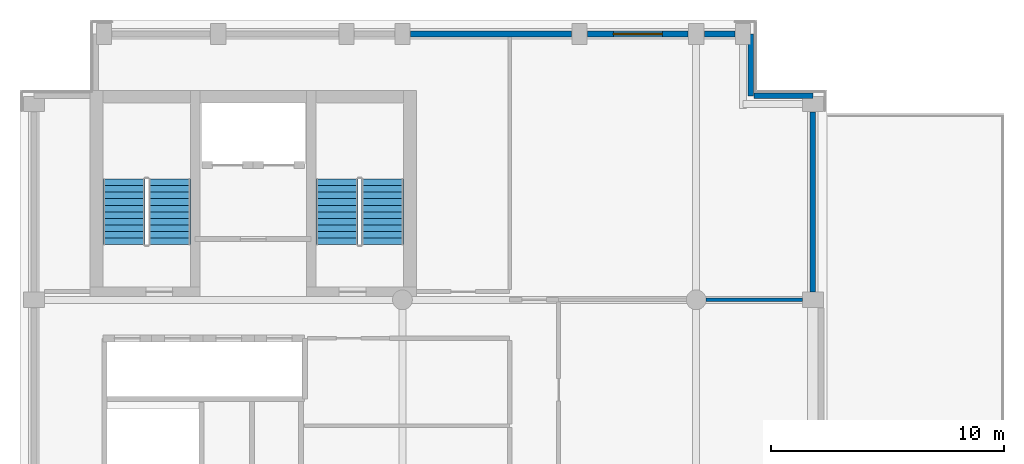
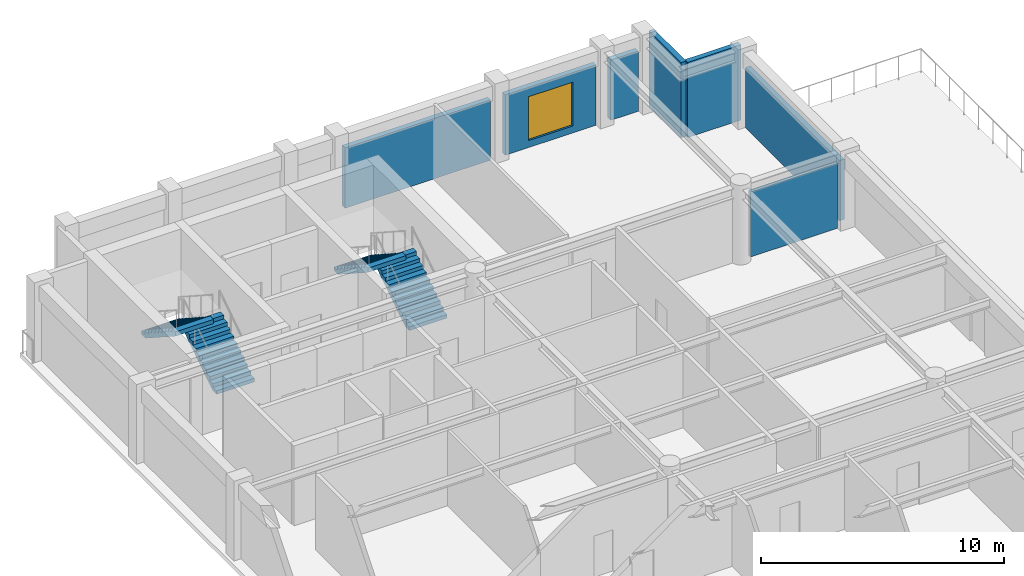
# One storey, part 6 of 9: 7 walls, 4 stair flights, 1 window, 1 opening, 2 elements without a shape of their own.
"""IFC4 building model written with IfcOpenShell, lengths in metres."""

import ifcopenshell
import ifcopenshell.guid

model = None  # the IFC model being written
_history = None  # IfcOwnerHistory: only IFC2X3 demands one
_inside = {}  # id of a spatial element -> (the spatial element, [elements in it])
_under = {}  # id of a project, library or spatial element -> (it, [spatial elements below it])
_declared = {}  # id of a project -> (the project, [libraries it declares])
_typed = {}  # id of a type object -> (the type object, [elements of that type])
_made_of = {}  # id of a material, layer set ... -> (it, [elements and type objects made of it])


def new_model(schema):
    """Start an empty IFC model of exactly this schema.

    Asked for "IFC4X3", IfcOpenShell would pick the latest addendum, in which some entities
    have other attributes; the version numbers below select the first issue.
    IFC2X3 requires an IfcOwnerHistory on every rooted entity: one is made here for all.
    """
    global model, _history
    if schema == "IFC4X3":
        model = ifcopenshell.file(schema_version=(4, 3, 0, 0))
    else:
        model = ifcopenshell.file(schema=schema)
    _inside.clear()
    _under.clear()
    _declared.clear()
    _typed.clear()
    _made_of.clear()
    _history = None
    if model.schema == "IFC2X3":
        org = make("IfcOrganization", Name="unknown")
        user = make(
            "IfcPersonAndOrganization",
            ThePerson=make("IfcPerson", FamilyName="unknown"),
            TheOrganization=org,
        )
        app = make(
            "IfcApplication",
            ApplicationDeveloper=org,
            Version="unknown",
            ApplicationFullName="unknown",
            ApplicationIdentifier="unknown",
        )
        _history = make(
            "IfcOwnerHistory",
            OwningUser=user,
            OwningApplication=app,
            ChangeAction="ADDED",
            CreationDate=0,
        )
    return model


def make(cls, **values):
    """One entity of the class cls with the attributes given. An attribute that is None is left unset."""
    return model.create_entity(
        cls, **{name: value for name, value in values.items() if value is not None}
    )


def rooted(cls, **values):
    """An entity with a GlobalId (a new one), such as an element, a storey or a relation."""
    return make(cls, GlobalId=ifcopenshell.guid.new(), OwnerHistory=_history, **values)


def si_unit(unit_type, name, prefix=None):
    """IfcSIUnit, for example si_unit("LENGTHUNIT", "METRE", prefix="MILLI")."""
    return make("IfcSIUnit", UnitType=unit_type, Prefix=prefix, Name=name)


def assignment(units):
    """IfcUnitAssignment: the units of a project."""
    return None if units is None else make("IfcUnitAssignment", Units=units)


def point(xyz):
    """IfcCartesianPoint."""
    return None if xyz is None else make("IfcCartesianPoint", Coordinates=xyz)


def direction(xyz):
    """IfcDirection."""
    return None if xyz is None else make("IfcDirection", DirectionRatios=xyz)


def frame(location, z_axis=None, x_axis=None):
    """IfcAxis2Placement3D, a coordinate frame: its origin and axes. An axis left out is left unset."""
    return make(
        "IfcAxis2Placement3D",
        Location=point(location),
        Axis=direction(z_axis),
        RefDirection=direction(x_axis),
    )


def frame_2d(location, x_axis=None):
    """IfcAxis2Placement2D, a coordinate frame in the plane: its origin and x axis."""
    return make(
        "IfcAxis2Placement2D", Location=point(location), RefDirection=direction(x_axis)
    )


def origin():
    """The frame at (0, 0, 0) with its axes left unset."""
    return frame((0.0, 0.0, 0.0))


def place(relative_to, where):
    """IfcLocalPlacement: puts the frame where relative to a parent placement (None: the world)."""
    return make(
        "IfcLocalPlacement", PlacementRelTo=relative_to, RelativePlacement=where
    )


def context(
    kind, dimensions, precision=None, world=None, true_north=None, identifier=None
):
    """IfcGeometricRepresentationContext, for example the 3D "Model" context."""
    return make(
        "IfcGeometricRepresentationContext",
        ContextIdentifier=identifier,
        ContextType=kind,
        CoordinateSpaceDimension=dimensions,
        Precision=precision,
        WorldCoordinateSystem=world,
        TrueNorth=true_north,
    )


def subcontext(parent, identifier, kind, view, scale=None):
    """IfcGeometricRepresentationSubContext, for example "Body" below "Model"."""
    return make(
        "IfcGeometricRepresentationSubContext",
        ContextIdentifier=identifier,
        ContextType=kind,
        ParentContext=parent,
        TargetScale=scale,
        TargetView=view,
    )


def project(units=None, contexts=None):
    """IfcProject with its units and contexts."""
    return rooted(
        "IfcProject",
        Name="project",
        RepresentationContexts=contexts,
        UnitsInContext=assignment(units),
    )


def spatial(cls, under=None, at=None, **own):
    """A site, building, storey or space (cls), placed at a placement, below another one or the project."""
    s = rooted(cls, ObjectPlacement=at, **own)
    if under is not None:
        _under.setdefault(under.id(), (under, []))[1].append(s)
    return s


def polyline(points):
    """IfcPolyline through the points."""
    return make("IfcPolyline", Points=[point(p) for p in points])


def profile(cls, at=None, kind="AREA", **sizes):
    """A parametric profile (cls). Its sizes go by their IFC names, for example OverallWidth=200.0."""
    return make(cls, ProfileType=kind, Position=at, **sizes)


def rectangle(**sizes):
    """IfcRectangleProfileDef."""
    return profile("IfcRectangleProfileDef", **sizes)


def outline(outer, holes=None, kind="AREA"):
    """IfcArbitraryClosedProfileDef: a profile drawn as a closed curve; with holes, ...WithVoids."""
    if holes is None:
        return make("IfcArbitraryClosedProfileDef", ProfileType=kind, OuterCurve=outer)
    return make(
        "IfcArbitraryProfileDefWithVoids",
        ProfileType=kind,
        OuterCurve=outer,
        InnerCurves=holes,
    )


def extrude(swept, where, along, depth):
    """IfcExtrudedAreaSolid: the profile swept, set in the frame where, extruded along a direction by depth."""
    return make(
        "IfcExtrudedAreaSolid",
        SweptArea=swept,
        Position=where,
        ExtrudedDirection=direction(along),
        Depth=depth,
    )


def shape(context_of_items, identifier, shape_type, items):
    """IfcShapeRepresentation: the items that make up one representation, for example the "Body"."""
    return make(
        "IfcShapeRepresentation",
        ContextOfItems=context_of_items,
        RepresentationIdentifier=identifier,
        RepresentationType=shape_type,
        Items=items,
    )


def material(Name=None, Category=None):
    """IfcMaterial."""
    return make("IfcMaterial", Name=Name, Category=Category)


def layer(
    of_material, thickness, ventilated=None, Name=None, Category=None, Priority=None
):
    """IfcMaterialLayer: one layer of a wall or slab, of a material (None: an air gap)."""
    return make(
        "IfcMaterialLayer",
        Material=of_material,
        LayerThickness=thickness,
        IsVentilated=ventilated,
        Name=Name,
        Category=Category,
        Priority=Priority,
    )


def layer_set(layers, Name=None):
    """IfcMaterialLayerSet."""
    return make("IfcMaterialLayerSet", MaterialLayers=layers, LayerSetName=Name)


def made_of(thing, what):
    """Note that an element or type object is made of a material, layer set ...; save() writes the relation."""
    if what is not None:
        _made_of.setdefault(what.id(), (what, []))[1].append(thing)
    return thing


def type_object(cls, material=None, **own):
    """A type object (cls), such as IfcWallType, which elements share."""
    return made_of(rooted(cls, **own), material)


def element(
    cls,
    number,
    at=None,
    inside=None,
    cuts=None,
    type_object=None,
    material=None,
    context=None,
    identifier="Body",
    shape_type=None,
    held_by="IfcProductDefinitionShape",
    body=None,
    shapes=None,
    **own,
):
    """One element of the class cls, such as IfcWall. Its Tag is "e" and its number.

    at: its placement. inside: the storey or other place that contains it. cuts: it is an
    opening in that element (IfcRelVoidsElement). A single representation is given by context,
    identifier, shape_type and body (its items); several are given by shapes. held_by: the class
    of the entity that holds the representations. save() writes the other relations.
    """
    e = rooted(cls, Tag="e%d" % number, ObjectPlacement=at, **own)
    if body is not None:
        shapes = [shape(context, identifier, shape_type, body)]
    if shapes is not None:
        e.Representation = make(held_by, Representations=shapes)
    if inside is not None:
        _inside.setdefault(inside.id(), (inside, []))[1].append(e)
    if cuts is not None:
        rooted(
            "IfcRelVoidsElement", RelatingBuildingElement=cuts, RelatedOpeningElement=e
        )
    if type_object is not None:
        _typed.setdefault(type_object.id(), (type_object, []))[1].append(e)
    return made_of(e, material)


def fill(opening, filler):
    """IfcRelFillsElement: the door or window that sits in an opening."""
    return rooted(
        "IfcRelFillsElement",
        RelatingOpeningElement=opening,
        RelatedBuildingElement=filler,
    )


def aggregate(whole, parts):
    """IfcRelAggregates: a whole, such as a stair, and the parts it consists of."""
    return rooted("IfcRelAggregates", RelatingObject=whole, RelatedObjects=parts)


def save(model, path):
    """Write the relations noted so far, then the file.

    IfcRelAggregates (storeys below a building ...), IfcRelContainedInSpatialStructure (elements
    in a storey), IfcRelDefinesByType, IfcRelAssociatesMaterial and IfcRelDeclares: one each for
    every whole, place, type object, material and project.
    """
    for whole, parts in _under.values():
        aggregate(whole, parts)
    for where, things in _inside.values():
        rooted(
            "IfcRelContainedInSpatialStructure",
            RelatedElements=things,
            RelatingStructure=where,
        )
    for kind, things in _typed.values():
        rooted("IfcRelDefinesByType", RelatedObjects=things, RelatingType=kind)
    for what, things in _made_of.values():
        rooted("IfcRelAssociatesMaterial", RelatedObjects=things, RelatingMaterial=what)
    for by, libraries in _declared.values():
        rooted("IfcRelDeclares", RelatingContext=by, RelatedDefinitions=libraries)
    model.write(path)


model = new_model("IFC4")

# Units and contexts
model_context = context("Model", 3, precision=1e-05, world=origin(), true_north=direction((0.0, 1.0)))
body_context = subcontext(model_context, "Body", "Model", "MODEL_VIEW")
ifc_project = project(units=[si_unit("LENGTHUNIT", "METRE"), si_unit("AREAUNIT", "SQUARE_METRE"), si_unit("VOLUMEUNIT", "CUBIC_METRE"), si_unit("PLANEANGLEUNIT", "RADIAN"), si_unit("MASSUNIT", "GRAM", prefix="KILO")], contexts=[model_context])

# Site, building, storey
site_placement = place(None, origin())
site = spatial("IfcSite", under=ifc_project, at=site_placement, CompositionType="ELEMENT")
building_placement = place(site_placement, origin())
building = spatial("IfcBuilding", under=site, at=building_placement, Name="Sulina Concourse Tower", CompositionType="ELEMENT")
storey_placement = place(building_placement, frame((0.0, 0.0, 305.0)))
storey = spatial("IfcBuildingStorey", under=building, at=storey_placement, Name="L74", CompositionType="ELEMENT", Elevation=305.0)

# Wall
ifc_material_1 = material(Name="Precast concrete C50/60", Category="concrete")
ifc_layer_1 = layer(ifc_material_1, 0.239990234375)
ifc_layer_set_1 = layer_set([ifc_layer_1], Name="Precast concrete C50/60")
wall_type_1 = type_object("IfcWallType", Name="Crown Precast Masonry-Frame Facade Wall 240mm", PredefinedType="SOLIDWALL", material=ifc_layer_set_1)
wall_1_placement = place(storey_placement, frame((16.7451171875, 45.39990234375, 0.0), z_axis=(0.0, 0.0, 1.0), x_axis=(1.0, 0.0, 0.0)))
element("IfcWall", 1, at=wall_1_placement, inside=storey, type_object=wall_type_1, Name="L74 exterior precast wall N4", PredefinedType="SOLIDWALL", context=body_context, shape_type="SweptSolid", body=[
    extrude(rectangle(XDim=6.909912109375, YDim=0.239990234375, at=frame_2d((3.455078125, 0.0))), origin(), (0.0, 0.0, 1.0), 3.02490234375),
])

# Wall, opening, window
wall_2_placement = place(storey_placement, frame((24.344970703125, 45.39990234375, 0.0), z_axis=(0.0, 0.0, 1.0), x_axis=(1.0, 0.0, 0.0)))
wall_2 = element("IfcWall", 2, at=wall_2_placement, inside=storey, type_object=wall_type_1, Name="L74 exterior precast wall N5", PredefinedType="SOLIDWALL", context=body_context, shape_type="SweptSolid", body=[
    extrude(rectangle(XDim=4.31005859375, YDim=0.239990234375, at=frame_2d((2.155029296875, 0.0))), origin(), (0.0, 0.0, 1.0), 3.02490234375),
])
opening_placement = place(wall_2_placement, frame((1.10498046875, 0.0, 0.35009765625)))
opening = element("IfcOpeningElement", 3, at=opening_placement, cuts=wall_2, Name="Opening WN-33", PredefinedType="OPENING", context=body_context, shape_type="SweptSolid", body=[
    extrude(rectangle(XDim=2.10009765625, YDim=2.199951171875, at=frame_2d((1.050048828125, 1.10009765625))), frame((0.0, 0.1298828125, 0.0), z_axis=(0.0, -1.0, 0.0), x_axis=(1.0, 0.0, 0.0)), (0.0, 0.0, 1.0), 0.260009765625),
])
ifc_material_2 = material(Name="Low-E solar double glazing in bronze aluminium", Category="aluminium")
window_type = type_object("IfcWindowType", Name="Punched Masonry-Frame Window 2100x2200", PartitioningType="DOUBLE_PANEL_VERTICAL", PredefinedType="WINDOW", material=ifc_material_2)
window_placement = place(opening_placement, origin())
window = element("IfcWindow", 4, at=window_placement, inside=storey, type_object=window_type, Name="L74 punched window N5-1", OverallHeight=2.199951171875, OverallWidth=2.10009765625, PartitioningType="SINGLE_PANEL", PredefinedType="WINDOW", context=body_context, shape_type="SweptSolid", body=[
    extrude(rectangle(XDim=2.10009765625, YDim=2.199951171875, at=frame_2d((1.050048828125, 1.10009765625))), frame((0.0, 0.030029296875, 0.0), z_axis=(0.0, -1.0, 0.0), x_axis=(1.0, 0.0, 0.0)), (0.0, 0.0, 1.0), 0.06005859375),
])
fill(opening, window)

# Walls
wall_3_placement = place(storey_placement, frame((29.344970703125, 45.39990234375, 0.0), z_axis=(0.0, 0.0, 1.0), x_axis=(1.0, 0.0, 0.0)))
element("IfcWall", 5, at=wall_3_placement, inside=storey, type_object=wall_type_1, Name="L74 exterior precast wall N6", PredefinedType="SOLIDWALL", context=body_context, shape_type="SweptSolid", body=[
    extrude(rectangle(XDim=1.31005859375, YDim=0.239990234375, at=frame_2d((0.655029296875, 0.0))), origin(), (0.0, 0.0, 1.0), 3.02490234375),
])
wall_4_placement = place(storey_placement, frame((34.0, 42.054931640625, 0.0), z_axis=(0.0, 0.0, 1.0), x_axis=(0.0, -1.0, 0.0)))
element("IfcWall", 6, at=wall_4_placement, inside=storey, type_object=wall_type_1, Name="L74 exterior precast wall E3", PredefinedType="SOLIDWALL", context=body_context, shape_type="SweptSolid", body=[
    extrude(rectangle(XDim=7.7099609375, YDim=0.239990234375, at=frame_2d((3.85498046875, 0.0))), origin(), (0.0, 0.0, 1.0), 3.02490234375),
])
wall_5_placement = place(storey_placement, frame((31.344970703125, 45.39990234375, 0.0), z_axis=(0.0, 0.0, 1.0), x_axis=(0.0, -1.0, 0.0)))
element("IfcWall", 7, at=wall_5_placement, inside=storey, type_object=wall_type_1, Name="L74 exterior precast wall CNE1", PredefinedType="SOLIDWALL", context=body_context, shape_type="SweptSolid", body=[
    extrude(rectangle(XDim=2.65478515625, YDim=0.239990234375, at=frame_2d((1.327392578125, 0.0))), origin(), (0.0, 0.0, 1.0), 3.77490234375),
])
wall_6_placement = place(storey_placement, frame((31.469970703125, 42.7451171875, 0.0), z_axis=(0.0, 0.0, 1.0), x_axis=(1.0, 0.0, 0.0)))
element("IfcWall", 8, at=wall_6_placement, inside=storey, type_object=wall_type_1, Name="L74 exterior precast wall CNE2", PredefinedType="SOLIDWALL", context=body_context, shape_type="SweptSolid", body=[
    extrude(rectangle(XDim=2.530029296875, YDim=0.239990234375, at=frame_2d((1.26513671875, 0.0))), origin(), (0.0, 0.0, 1.0), 3.77490234375),
])
ifc_material_3 = material(Name="Gypsum board on steel stud", Category="steel")
ifc_layer_2 = layer(ifc_material_3, 0.14990234375)
ifc_layer_set_2 = layer_set([ifc_layer_2], Name="Gypsum board on steel stud")
wall_type_2 = type_object("IfcWallType", Name="Inter-Tenancy Acoustic Partition 150mm", PredefinedType="PARTITIONING", material=ifc_layer_set_2)
wall_7_placement = place(storey_placement, frame((29.425048828125, 34.0, 0.0), z_axis=(0.0, 0.0, 1.0), x_axis=(1.0, 0.0, 0.0)))
element("IfcWall", 9, at=wall_7_placement, inside=storey, type_object=wall_type_2, Name="L74 interior partition 022", PredefinedType="PARTITIONING", context=body_context, shape_type="SweptSolid", body=[
    extrude(rectangle(XDim=4.125, YDim=0.14990234375, at=frame_2d((2.0625, 0.0))), origin(), (0.0, 0.0, 1.0), 3.27001953125),
])

# Stair, stair flights
ifc_material_4 = material(Name="Concrete C50/60", Category="concrete")
stair_type = type_object("IfcStairType", Name="Primary Core Dog-Leg Exit Stair 1800mm", PredefinedType="HALF_TURN_STAIR", material=ifc_material_4)
stair_1_placement = place(storey_placement, origin())
stair_1 = element("IfcStair", 10, at=stair_1_placement, inside=storey, type_object=stair_type, Name="L74 ST-1", PredefinedType="HALF_TURN_STAIR")
ifc_material_5 = material(Name="Concrete C50/60", Category="concrete")
stair_flight_type = type_object("IfcStairFlightType", Name="Primary Core Dog-Leg Exit Stair 1800mm Flight", PredefinedType="STRAIGHT", material=ifc_material_5)
stair_flight_1_placement = place(storey_placement, frame((6.405029296875, 36.375, 0.0), z_axis=(0.0, 0.0, 1.0), x_axis=(0.0, 1.0, 0.0)))
stair_flight_1 = element("IfcStairFlight", 11, at=stair_flight_1_placement, type_object=stair_flight_type, Name="ST-1 flight 1", NumberOfRisers=11, NumberOfTreads=10, PredefinedType="STRAIGHT", RiserHeight=0.181818182, TreadLength=0.28, context=body_context, shape_type="SweptSolid", body=[
    extrude(outline(polyline([(0.0, 0.0), (0.0, 0.181884765625), (0.280029296875, 0.181884765625), (0.280029296875, 0.363525390625), (0.56005859375, 0.363525390625), (0.56005859375, 0.54541015625), (0.840087890625, 0.54541015625), (0.840087890625, 0.727294921875), (1.1201171875, 0.727294921875), (1.1201171875, 0.9091796875), (1.39990234375, 0.9091796875), (1.39990234375, 1.0908203125), (1.679931640625, 1.0908203125), (1.679931640625, 1.272705078125), (1.9599609375, 1.272705078125), (1.9599609375, 1.45458984375), (2.239990234375, 1.45458984375), (2.239990234375, 1.636474609375), (2.52001953125, 1.636474609375), (2.52001953125, 1.818115234375), (2.800048828125, 1.818115234375), (2.800048828125, 2.0), (2.800048828125, 1.603759765625), (0.330322265625, 0.0), (0.0, 0.0)])), frame((0.0, 0.89990234375, 0.0), z_axis=(0.0, -1.0, 0.0), x_axis=(1.0, 0.0, 0.0)), (0.0, 0.0, 1.0), 1.800048828125),
])
stair_flight_2_placement = place(storey_placement, frame((4.455078125, 39.175048828125, 2.0), z_axis=(0.0, 0.0, 1.0), x_axis=(0.0, -1.0, 0.0)))
stair_flight_2 = element("IfcStairFlight", 12, at=stair_flight_2_placement, type_object=stair_flight_type, Name="ST-1 flight 2", NumberOfRisers=11, NumberOfTreads=10, PredefinedType="STRAIGHT", RiserHeight=0.181818182, TreadLength=0.28, context=body_context, shape_type="SweptSolid", body=[
    extrude(outline(polyline([(0.0, 0.0), (0.0, 0.181884765625), (0.280029296875, 0.181884765625), (0.280029296875, 0.363525390625), (0.56005859375, 0.363525390625), (0.56005859375, 0.54541015625), (0.840087890625, 0.54541015625), (0.840087890625, 0.727294921875), (1.1201171875, 0.727294921875), (1.1201171875, 0.9091796875), (1.39990234375, 0.9091796875), (1.39990234375, 1.0908203125), (1.679931640625, 1.0908203125), (1.679931640625, 1.272705078125), (1.9599609375, 1.272705078125), (1.9599609375, 1.45458984375), (2.239990234375, 1.45458984375), (2.239990234375, 1.636474609375), (2.52001953125, 1.636474609375), (2.52001953125, 1.818115234375), (2.800048828125, 1.818115234375), (2.800048828125, 2.0), (2.800048828125, 1.603759765625), (0.330322265625, 0.0), (0.0, 0.0)])), frame((0.0, 0.89990234375, 0.0), z_axis=(0.0, -1.0, 0.0), x_axis=(1.0, 0.0, 0.0)), (0.0, 0.0, 1.0), 1.800048828125),
])
aggregate(stair_1, [stair_flight_1, stair_flight_2])

stair_2_placement = place(storey_placement, origin())
stair_2 = element("IfcStair", 13, at=stair_2_placement, inside=storey, type_object=stair_type, Name="L74 ST-2", PredefinedType="HALF_TURN_STAIR")
stair_flight_3_placement = place(storey_placement, frame((15.544921875, 36.375, 0.0), z_axis=(0.0, 0.0, 1.0), x_axis=(0.0, 1.0, 0.0)))
stair_flight_3 = element("IfcStairFlight", 14, at=stair_flight_3_placement, type_object=stair_flight_type, Name="ST-2 flight 1", NumberOfRisers=11, NumberOfTreads=10, PredefinedType="STRAIGHT", RiserHeight=0.181818182, TreadLength=0.28, context=body_context, shape_type="SweptSolid", body=[
    extrude(outline(polyline([(0.0, 0.0), (0.0, 0.181884765625), (0.280029296875, 0.181884765625), (0.280029296875, 0.363525390625), (0.56005859375, 0.363525390625), (0.56005859375, 0.54541015625), (0.840087890625, 0.54541015625), (0.840087890625, 0.727294921875), (1.1201171875, 0.727294921875), (1.1201171875, 0.9091796875), (1.39990234375, 0.9091796875), (1.39990234375, 1.0908203125), (1.679931640625, 1.0908203125), (1.679931640625, 1.272705078125), (1.9599609375, 1.272705078125), (1.9599609375, 1.45458984375), (2.239990234375, 1.45458984375), (2.239990234375, 1.636474609375), (2.52001953125, 1.636474609375), (2.52001953125, 1.818115234375), (2.800048828125, 1.818115234375), (2.800048828125, 2.0), (2.800048828125, 1.603759765625), (0.330322265625, 0.0), (0.0, 0.0)])), frame((0.0, 0.89990234375, 0.0), z_axis=(0.0, -1.0, 0.0), x_axis=(1.0, 0.0, 0.0)), (0.0, 0.0, 1.0), 1.800048828125),
])
stair_flight_4_placement = place(storey_placement, frame((13.594970703125, 39.175048828125, 2.0), z_axis=(0.0, 0.0, 1.0), x_axis=(0.0, -1.0, 0.0)))
stair_flight_4 = element("IfcStairFlight", 15, at=stair_flight_4_placement, type_object=stair_flight_type, Name="ST-2 flight 2", NumberOfRisers=11, NumberOfTreads=10, PredefinedType="STRAIGHT", RiserHeight=0.181818182, TreadLength=0.28, context=body_context, shape_type="SweptSolid", body=[
    extrude(outline(polyline([(0.0, 0.0), (0.0, 0.181884765625), (0.280029296875, 0.181884765625), (0.280029296875, 0.363525390625), (0.56005859375, 0.363525390625), (0.56005859375, 0.54541015625), (0.840087890625, 0.54541015625), (0.840087890625, 0.727294921875), (1.1201171875, 0.727294921875), (1.1201171875, 0.9091796875), (1.39990234375, 0.9091796875), (1.39990234375, 1.0908203125), (1.679931640625, 1.0908203125), (1.679931640625, 1.272705078125), (1.9599609375, 1.272705078125), (1.9599609375, 1.45458984375), (2.239990234375, 1.45458984375), (2.239990234375, 1.636474609375), (2.52001953125, 1.636474609375), (2.52001953125, 1.818115234375), (2.800048828125, 1.818115234375), (2.800048828125, 2.0), (2.800048828125, 1.603759765625), (0.330322265625, 0.0), (0.0, 0.0)])), frame((0.0, 0.89990234375, 0.0), z_axis=(0.0, -1.0, 0.0), x_axis=(1.0, 0.0, 0.0)), (0.0, 0.0, 1.0), 1.800048828125),
])
aggregate(stair_2, [stair_flight_3, stair_flight_4])

save(model, "model.ifc")
